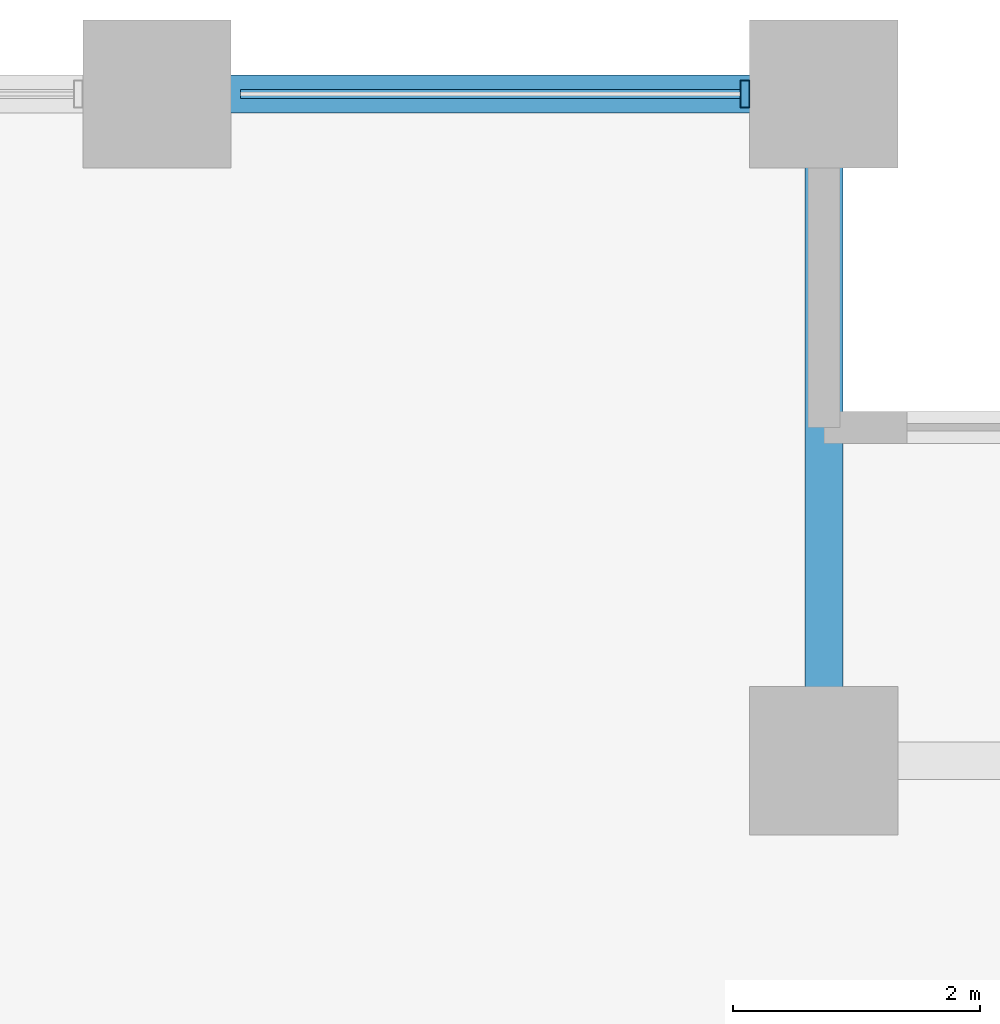
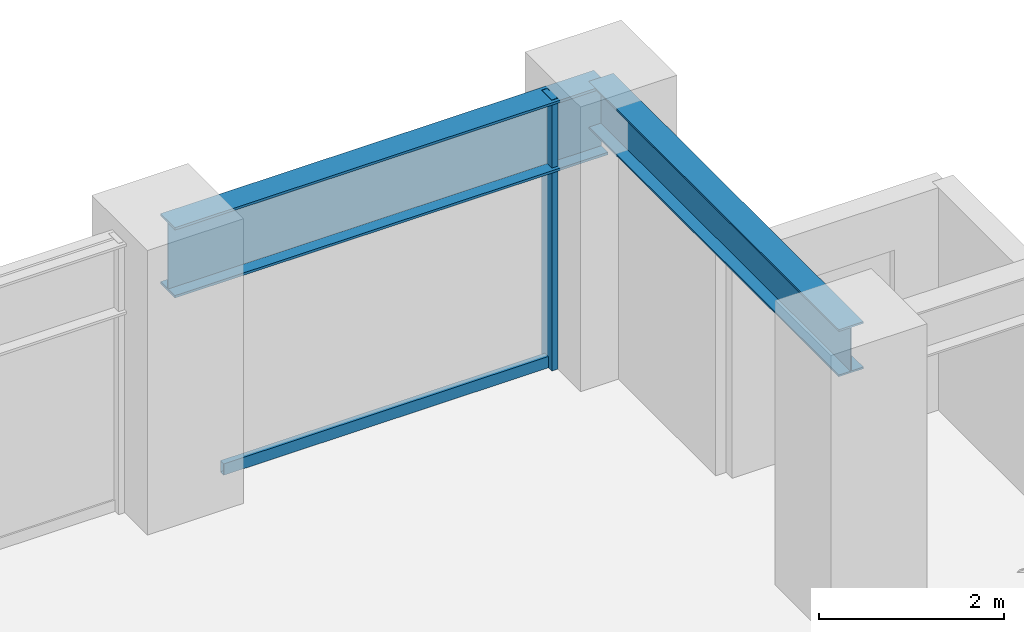
# One storey, part 16 of 28: 2 beams, 2 members, 1 element without a shape of its own.
"""IFC4 building model written with IfcOpenShell, lengths in metres."""

import ifcopenshell
import ifcopenshell.guid

model = None  # the IFC model being written
_history = None  # IfcOwnerHistory: only IFC2X3 demands one
_inside = {}  # id of a spatial element -> (the spatial element, [elements in it])
_under = {}  # id of a project, library or spatial element -> (it, [spatial elements below it])
_declared = {}  # id of a project -> (the project, [libraries it declares])
_typed = {}  # id of a type object -> (the type object, [elements of that type])
_made_of = {}  # id of a material, layer set ... -> (it, [elements and type objects made of it])


def new_model(schema):
    """Start an empty IFC model of exactly this schema.

    Asked for "IFC4X3", IfcOpenShell would pick the latest addendum, in which some entities
    have other attributes; the version numbers below select the first issue.
    IFC2X3 requires an IfcOwnerHistory on every rooted entity: one is made here for all.
    """
    global model, _history
    if schema == "IFC4X3":
        model = ifcopenshell.file(schema_version=(4, 3, 0, 0))
    else:
        model = ifcopenshell.file(schema=schema)
    _inside.clear()
    _under.clear()
    _declared.clear()
    _typed.clear()
    _made_of.clear()
    _history = None
    if model.schema == "IFC2X3":
        org = make("IfcOrganization", Name="unknown")
        user = make(
            "IfcPersonAndOrganization",
            ThePerson=make("IfcPerson", FamilyName="unknown"),
            TheOrganization=org,
        )
        app = make(
            "IfcApplication",
            ApplicationDeveloper=org,
            Version="unknown",
            ApplicationFullName="unknown",
            ApplicationIdentifier="unknown",
        )
        _history = make(
            "IfcOwnerHistory",
            OwningUser=user,
            OwningApplication=app,
            ChangeAction="ADDED",
            CreationDate=0,
        )
    return model


def make(cls, **values):
    """One entity of the class cls with the attributes given. An attribute that is None is left unset."""
    return model.create_entity(
        cls, **{name: value for name, value in values.items() if value is not None}
    )


def rooted(cls, **values):
    """An entity with a GlobalId (a new one), such as an element, a storey or a relation."""
    return make(cls, GlobalId=ifcopenshell.guid.new(), OwnerHistory=_history, **values)


def si_unit(unit_type, name, prefix=None):
    """IfcSIUnit, for example si_unit("LENGTHUNIT", "METRE", prefix="MILLI")."""
    return make("IfcSIUnit", UnitType=unit_type, Prefix=prefix, Name=name)


def assignment(units):
    """IfcUnitAssignment: the units of a project."""
    return None if units is None else make("IfcUnitAssignment", Units=units)


def point(xyz):
    """IfcCartesianPoint."""
    return None if xyz is None else make("IfcCartesianPoint", Coordinates=xyz)


def direction(xyz):
    """IfcDirection."""
    return None if xyz is None else make("IfcDirection", DirectionRatios=xyz)


def frame(location, z_axis=None, x_axis=None):
    """IfcAxis2Placement3D, a coordinate frame: its origin and axes. An axis left out is left unset."""
    return make(
        "IfcAxis2Placement3D",
        Location=point(location),
        Axis=direction(z_axis),
        RefDirection=direction(x_axis),
    )


def frame_2d(location, x_axis=None):
    """IfcAxis2Placement2D, a coordinate frame in the plane: its origin and x axis."""
    return make(
        "IfcAxis2Placement2D", Location=point(location), RefDirection=direction(x_axis)
    )


def origin():
    """The frame at (0, 0, 0) with its axes left unset."""
    return frame((0.0, 0.0, 0.0))


def origin_2d():
    """The frame at (0, 0) in the plane with its x axis left unset."""
    return frame_2d((0.0, 0.0))


def place(relative_to, where):
    """IfcLocalPlacement: puts the frame where relative to a parent placement (None: the world)."""
    return make(
        "IfcLocalPlacement", PlacementRelTo=relative_to, RelativePlacement=where
    )


def context(
    kind, dimensions, precision=None, world=None, true_north=None, identifier=None
):
    """IfcGeometricRepresentationContext, for example the 3D "Model" context."""
    return make(
        "IfcGeometricRepresentationContext",
        ContextIdentifier=identifier,
        ContextType=kind,
        CoordinateSpaceDimension=dimensions,
        Precision=precision,
        WorldCoordinateSystem=world,
        TrueNorth=true_north,
    )


def subcontext(parent, identifier, kind, view, scale=None):
    """IfcGeometricRepresentationSubContext, for example "Body" below "Model"."""
    return make(
        "IfcGeometricRepresentationSubContext",
        ContextIdentifier=identifier,
        ContextType=kind,
        ParentContext=parent,
        TargetScale=scale,
        TargetView=view,
    )


def project(units=None, contexts=None):
    """IfcProject with its units and contexts."""
    return rooted(
        "IfcProject",
        Name="project",
        RepresentationContexts=contexts,
        UnitsInContext=assignment(units),
    )


def spatial(cls, under=None, at=None, **own):
    """A site, building, storey or space (cls), placed at a placement, below another one or the project."""
    s = rooted(cls, ObjectPlacement=at, **own)
    if under is not None:
        _under.setdefault(under.id(), (under, []))[1].append(s)
    return s


def profile(cls, at=None, kind="AREA", **sizes):
    """A parametric profile (cls). Its sizes go by their IFC names, for example OverallWidth=200.0."""
    return make(cls, ProfileType=kind, Position=at, **sizes)


def hollow_rectangle(**sizes):
    """IfcRectangleHollowProfileDef."""
    return profile("IfcRectangleHollowProfileDef", **sizes)


def i_section(**sizes):
    """IfcIShapeProfileDef."""
    return profile("IfcIShapeProfileDef", **sizes)


def extrude(swept, where, along, depth):
    """IfcExtrudedAreaSolid: the profile swept, set in the frame where, extruded along a direction by depth."""
    return make(
        "IfcExtrudedAreaSolid",
        SweptArea=swept,
        Position=where,
        ExtrudedDirection=direction(along),
        Depth=depth,
    )


def shape(context_of_items, identifier, shape_type, items):
    """IfcShapeRepresentation: the items that make up one representation, for example the "Body"."""
    return make(
        "IfcShapeRepresentation",
        ContextOfItems=context_of_items,
        RepresentationIdentifier=identifier,
        RepresentationType=shape_type,
        Items=items,
    )


def material(Name=None, Category=None):
    """IfcMaterial."""
    return make("IfcMaterial", Name=Name, Category=Category)


def layer(
    of_material, thickness, ventilated=None, Name=None, Category=None, Priority=None
):
    """IfcMaterialLayer: one layer of a wall or slab, of a material (None: an air gap)."""
    return make(
        "IfcMaterialLayer",
        Material=of_material,
        LayerThickness=thickness,
        IsVentilated=ventilated,
        Name=Name,
        Category=Category,
        Priority=Priority,
    )


def layer_set(layers, Name=None):
    """IfcMaterialLayerSet."""
    return make("IfcMaterialLayerSet", MaterialLayers=layers, LayerSetName=Name)


def material_profile(
    of_material, cross_section, Name=None, Category=None, Priority=None
):
    """IfcMaterialProfile: a cross section and its material."""
    return make(
        "IfcMaterialProfile",
        Name=Name,
        Material=of_material,
        Profile=cross_section,
        Priority=Priority,
        Category=Category,
    )


def profile_set(profiles, Name=None, composite=None):
    """IfcMaterialProfileSet."""
    return make(
        "IfcMaterialProfileSet",
        Name=Name,
        MaterialProfiles=profiles,
        CompositeProfile=composite,
    )


def made_of(thing, what):
    """Note that an element or type object is made of a material, layer set ...; save() writes the relation."""
    if what is not None:
        _made_of.setdefault(what.id(), (what, []))[1].append(thing)
    return thing


def type_object(cls, material=None, **own):
    """A type object (cls), such as IfcWallType, which elements share."""
    return made_of(rooted(cls, **own), material)


def element(
    cls,
    number,
    at=None,
    inside=None,
    cuts=None,
    type_object=None,
    material=None,
    context=None,
    identifier="Body",
    shape_type=None,
    held_by="IfcProductDefinitionShape",
    body=None,
    shapes=None,
    **own,
):
    """One element of the class cls, such as IfcWall. Its Tag is "e" and its number.

    at: its placement. inside: the storey or other place that contains it. cuts: it is an
    opening in that element (IfcRelVoidsElement). A single representation is given by context,
    identifier, shape_type and body (its items); several are given by shapes. held_by: the class
    of the entity that holds the representations. save() writes the other relations.
    """
    e = rooted(cls, Tag="e%d" % number, ObjectPlacement=at, **own)
    if body is not None:
        shapes = [shape(context, identifier, shape_type, body)]
    if shapes is not None:
        e.Representation = make(held_by, Representations=shapes)
    if inside is not None:
        _inside.setdefault(inside.id(), (inside, []))[1].append(e)
    if cuts is not None:
        rooted(
            "IfcRelVoidsElement", RelatingBuildingElement=cuts, RelatedOpeningElement=e
        )
    if type_object is not None:
        _typed.setdefault(type_object.id(), (type_object, []))[1].append(e)
    return made_of(e, material)


def aggregate(whole, parts):
    """IfcRelAggregates: a whole, such as a stair, and the parts it consists of."""
    return rooted("IfcRelAggregates", RelatingObject=whole, RelatedObjects=parts)


def save(model, path):
    """Write the relations noted so far, then the file.

    IfcRelAggregates (storeys below a building ...), IfcRelContainedInSpatialStructure (elements
    in a storey), IfcRelDefinesByType, IfcRelAssociatesMaterial and IfcRelDeclares: one each for
    every whole, place, type object, material and project.
    """
    for whole, parts in _under.values():
        aggregate(whole, parts)
    for where, things in _inside.values():
        rooted(
            "IfcRelContainedInSpatialStructure",
            RelatedElements=things,
            RelatingStructure=where,
        )
    for kind, things in _typed.values():
        rooted("IfcRelDefinesByType", RelatedObjects=things, RelatingType=kind)
    for what, things in _made_of.values():
        rooted("IfcRelAssociatesMaterial", RelatedObjects=things, RelatingMaterial=what)
    for by, libraries in _declared.values():
        rooted("IfcRelDeclares", RelatingContext=by, RelatedDefinitions=libraries)
    model.write(path)


model = new_model("IFC4")

# Units and contexts
model_context = context("Model", 3, precision=1e-05, world=origin(), true_north=direction((0.0, 1.0)))
body_context = subcontext(model_context, "Body", "Model", "MODEL_VIEW")
ifc_project = project(units=[si_unit("LENGTHUNIT", "METRE"), si_unit("AREAUNIT", "SQUARE_METRE"), si_unit("VOLUMEUNIT", "CUBIC_METRE"), si_unit("PLANEANGLEUNIT", "RADIAN"), si_unit("MASSUNIT", "GRAM", prefix="KILO")], contexts=[model_context])

# Site, building, storey
site_placement = place(None, origin())
site = spatial("IfcSite", under=ifc_project, at=site_placement, CompositionType="ELEMENT")
building_placement = place(site_placement, origin())
building = spatial("IfcBuilding", under=site, at=building_placement, Name="Surkhivell Harbour Commons", CompositionType="ELEMENT")
storey_placement = place(building_placement, frame((0.0, 0.0, 67.5)))
storey = spatial("IfcBuildingStorey", under=building, at=storey_placement, Name="L17", CompositionType="ELEMENT", Elevation=67.5)

# Beams
ifc_material_1 = material(Name="Steel S355", Category="steel")
ifc_material_profile_1 = material_profile(ifc_material_1, i_section(OverallWidth=0.306884765625, OverallDepth=0.6201171875, WebThickness=0.01416015625, FlangeThickness=0.023681640625, at=origin_2d()), Name="UB610x305x179")
ifc_profile_set_1 = profile_set([ifc_material_profile_1], Name="Steel S355")
beam_type_1 = type_object("IfcBeamType", Name="BM-GRD-610A", PredefinedType="BEAM", material=ifc_profile_set_1)
beam_1_placement = place(storey_placement, frame((27.0, 20.5, 3.260009765625), z_axis=(0.0, 1.0, 0.0), x_axis=(-1.0, 0.0, 0.0)))
element("IfcBeam", 1, at=beam_1_placement, inside=storey, type_object=beam_type_1, Name="L17 Floor Girder (27.0,20.5)", PredefinedType="BEAM", context=body_context, shape_type="SweptSolid", body=[
    extrude(i_section(OverallWidth=0.306884765625, OverallDepth=0.6201171875, WebThickness=0.01416015625, FlangeThickness=0.023681640625, at=origin_2d()), origin(), (0.0, 0.0, 1.0), 5.39990234375),
])
ifc_material_2 = material(Name="Steel S460", Category="steel")
ifc_material_profile_2 = material_profile(ifc_material_2, i_section(OverallWidth=0.30810546875, OverallDepth=0.927001953125, WebThickness=0.01953125, FlangeThickness=0.031982421875, at=origin_2d()), Name="UB914x305x289")
ifc_profile_set_2 = profile_set([ifc_material_profile_2], Name="Steel S460")
beam_type_2 = type_object("IfcBeamType", Name="BM-SPN-914B", PredefinedType="SPANDREL", material=ifc_profile_set_2)
beam_2_placement = place(storey_placement, frame((21.60009765625, 25.89990234375, 3.1064453125), z_axis=(1.0, 0.0, 0.0), x_axis=(0.0, 1.0, 0.0)))
element("IfcBeam", 2, at=beam_2_placement, inside=storey, type_object=beam_type_2, Name="L17 Tube Spandrel (21.6,25.9)", PredefinedType="SPANDREL", context=body_context, shape_type="SweptSolid", body=[
    extrude(i_section(OverallWidth=0.30810546875, OverallDepth=0.927001953125, WebThickness=0.01953125, FlangeThickness=0.031982421875, at=origin_2d()), origin(), (0.0, 0.0, 1.0), 5.39990234375),
])

# Curtain wall, members
ifc_material_3 = material(Name="Anodised pale-metal aluminium and insulated glazing", Category="aluminium")
ifc_layer = layer(ifc_material_3, 0.219970703125)
ifc_layer_set = layer_set([ifc_layer], Name="Anodised pale-metal aluminium and insulated glazing")
curtain_wall_type = type_object("IfcCurtainWallType", Name="CW-SYS-Z1", PredefinedType="NOTDEFINED", material=ifc_layer_set)
curtain_wall_placement = place(storey_placement, origin())
curtain_wall = element("IfcCurtainWall", 3, at=curtain_wall_placement, inside=storey, type_object=curtain_wall_type, Name="L17 Curtain Wall CW-L17-E07S1", PredefinedType="NOTDEFINED")
ifc_material_4 = material(Name="Anodised pale-metal aluminium alloy 6063-T6", Category="aluminium")
ifc_material_profile_3 = material_profile(ifc_material_4, hollow_rectangle(XDim=0.074951171875, YDim=0.219970703125, WallThickness=0.00390625, at=origin_2d()), Name="ALU-MULL-75x220")
ifc_profile_set_3 = profile_set([ifc_material_profile_3], Name="Anodised pale-metal aluminium alloy 6063-T6")
member_type_1 = type_object("IfcMemberType", Name="CWM-220", PredefinedType="MULLION", material=ifc_profile_set_3)
member_1_placement = place(storey_placement, frame((26.360595703125, 25.89990234375, 0.0), z_axis=(0.0, 0.0, 1.0), x_axis=(-1.0, 0.0, 0.0)))
member_1 = element("IfcMember", 4, at=member_1_placement, type_object=member_type_1, Name="CW-Z1 mullion 1", PredefinedType="MULLION", context=body_context, shape_type="SweptSolid", body=[
    extrude(hollow_rectangle(XDim=0.074951171875, YDim=0.219970703125, WallThickness=0.00390625, at=origin_2d()), origin(), (0.0, 0.0, 1.0), 3.570068359375),
])
ifc_material_profile_4 = material_profile(ifc_material_4, hollow_rectangle(XDim=0.074951171875, YDim=0.14990234375, WallThickness=0.00341796875, at=origin_2d()), Name="ALU-TRAN-75x150")
ifc_profile_set_4 = profile_set([ifc_material_profile_4], Name="Anodised pale-metal aluminium alloy 6063-T6")
member_type_2 = type_object("IfcMemberType", Name="CWT-150", PredefinedType="USERDEFINED", material=ifc_profile_set_4)
member_2_placement = place(storey_placement, frame((26.322998046875, 25.89990234375, 0.074951171875), z_axis=(-1.0, 0.0, 0.0), x_axis=(0.0, -1.0, 0.0)))
member_2 = element("IfcMember", 5, at=member_2_placement, type_object=member_type_2, Name="CW-Z1 transom 1.1", ObjectType="TRANSOM", PredefinedType="USERDEFINED", context=body_context, shape_type="SweptSolid", body=[
    extrude(hollow_rectangle(XDim=0.074951171875, YDim=0.14990234375, WallThickness=0.00341796875, at=origin_2d()), origin(), (0.0, 0.0, 1.0), 4.0458984375),
])
aggregate(curtain_wall, [member_1, member_2])

save(model, "model.ifc")
